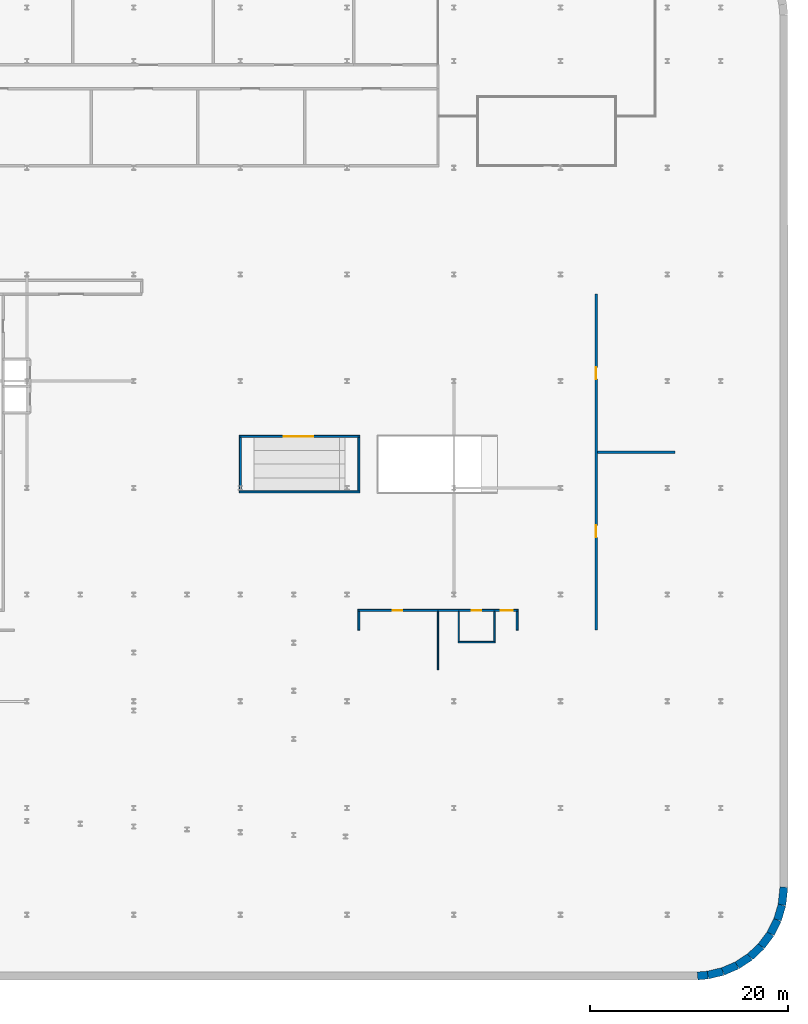
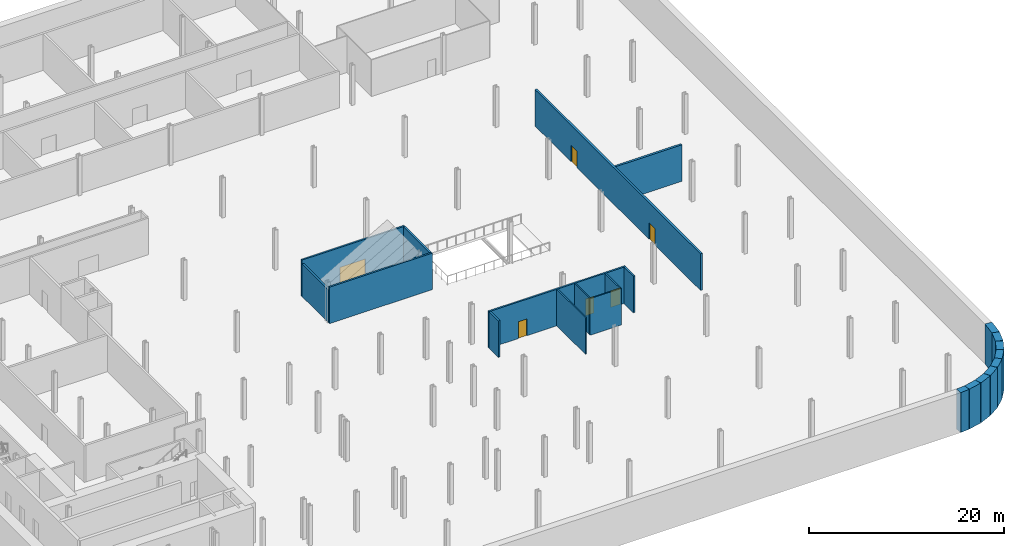
# One storey, part 10 of 19: 22 walls, 6 doors, 6 openings.
"""IFC4 building model written with IfcOpenShell, lengths in metres."""

from ifc_helpers import new_model, si_unit, direction, frame, frame_2d, origin, place, context, subcontext, project, spatial, rectangle, extrude, source, transform, mapped, material, layer, layer_set, type_object, element, fill, save


model = new_model("IFC4")

# Units and contexts
model_context = context("Model", 3, precision=1e-05, world=origin(), true_north=direction((0.0, 1.0)))
body_context = subcontext(model_context, "Body", "Model", "MODEL_VIEW")
ifc_project = project(units=[si_unit("LENGTHUNIT", "METRE"), si_unit("AREAUNIT", "SQUARE_METRE"), si_unit("VOLUMEUNIT", "CUBIC_METRE"), si_unit("PLANEANGLEUNIT", "RADIAN"), si_unit("MASSUNIT", "GRAM", prefix="KILO")], contexts=[model_context])

# Site, building, storey
site_placement = place(None, origin())
site = spatial("IfcSite", under=ifc_project, at=site_placement, CompositionType="ELEMENT")
building_placement = place(site_placement, origin())
building = spatial("IfcBuilding", under=site, at=building_placement, Name="Kheshtan School and Residences Tower", CompositionType="ELEMENT")
storey_placement = place(building_placement, frame((0.0, 0.0, -10.0)))
storey = spatial("IfcBuildingStorey", under=building, at=storey_placement, Name="B2", CompositionType="ELEMENT", Elevation=-10.0)

# Walls
ifc_material_1 = material(Name="Concrete C35/45", Category="concrete")
ifc_layer_1 = layer(ifc_material_1, 0.800048828125)
ifc_layer_set_1 = layer_set([ifc_layer_1], Name="Basement wall 800 Concrete C35/45")
wall_type_1 = type_object("IfcWallType", Name="Basement wall 800 Concrete C35/45", PredefinedType="SOLIDWALL", material=ifc_layer_set_1)
wall_1_placement = place(storey_placement, frame((135.0, 16.0, 0.0), z_axis=(0.0, 0.0, 1.0), x_axis=(-0.105567043429, -0.994412187849, 0.0)))
element("IfcWall", 1, at=wall_1_placement, inside=storey, type_object=wall_type_1, Name="Secant pile wall 21", PredefinedType="SOLIDWALL", context=body_context, shape_type="SweptSolid", body=[
    extrude(rectangle(XDim=1.829345703125, YDim=0.800048828125, at=frame_2d((0.91455078125, 0.0))), origin(), (0.0, 0.0, 1.0), 5.0),
])
wall_2_placement = place(storey_placement, frame((134.806884765625, 14.180908203125, 0.0), z_axis=(0.0, 0.0, 1.0), x_axis=(-0.287147763375, -0.957886299092, 0.0)))
element("IfcWall", 2, at=wall_2_placement, inside=storey, type_object=wall_type_1, Name="Secant pile wall 22", PredefinedType="SOLIDWALL", context=body_context, shape_type="SweptSolid", body=[
    extrude(rectangle(XDim=1.56689453125, YDim=0.800048828125, at=frame_2d((0.783447265625, 0.0))), origin(), (0.0, 0.0, 1.0), 5.0),
])
wall_3_placement = place(storey_placement, frame((134.35693359375, 12.679931640625, 0.0), z_axis=(0.0, 0.0, 1.0), x_axis=(-0.448459314462, -0.893803246399, 0.0)))
element("IfcWall", 3, at=wall_3_placement, inside=storey, type_object=wall_type_1, Name="Secant pile wall 23", PredefinedType="SOLIDWALL", context=body_context, shape_type="SweptSolid", body=[
    extrude(rectangle(XDim=1.5673828125, YDim=0.800048828125, at=frame_2d((0.78369140625, 0.0))), origin(), (0.0, 0.0, 1.0), 5.0),
])
wall_4_placement = place(storey_placement, frame((133.654052734375, 11.279052734375, 0.0), z_axis=(0.0, 0.0, 1.0), x_axis=(-0.597630520512, -0.801771638905, 0.0)))
element("IfcWall", 4, at=wall_4_placement, inside=storey, type_object=wall_type_1, Name="Secant pile wall 24", PredefinedType="SOLIDWALL", context=body_context, shape_type="SweptSolid", body=[
    extrude(rectangle(XDim=1.56787109375, YDim=0.800048828125, at=frame_2d((0.783935546875, 0.0))), origin(), (0.0, 0.0, 1.0), 5.0),
])
wall_5_placement = place(storey_placement, frame((132.717041015625, 10.02197265625, 0.0), z_axis=(0.0, 0.0, 1.0), x_axis=(-0.726995868662, -0.686641833089, 0.0)))
element("IfcWall", 5, at=wall_5_placement, inside=storey, type_object=wall_type_1, Name="Secant pile wall 25", PredefinedType="SOLIDWALL", context=body_context, shape_type="SweptSolid", body=[
    extrude(rectangle(XDim=1.56689453125, YDim=0.800048828125, at=frame_2d((0.783447265625, 0.0))), origin(), (0.0, 0.0, 1.0), 5.0),
])
wall_6_placement = place(storey_placement, frame((131.577880859375, 8.946044921875, 0.0), z_axis=(0.0, 0.0, 1.0), x_axis=(-0.835603348101, -0.549333272834, 0.0)))
element("IfcWall", 6, at=wall_6_placement, inside=storey, type_object=wall_type_1, Name="Secant pile wall 26", PredefinedType="SOLIDWALL", context=body_context, shape_type="SweptSolid", body=[
    extrude(rectangle(XDim=1.567626953125, YDim=0.800048828125, at=frame_2d((0.78369140625, 0.0))), origin(), (0.0, 0.0, 1.0), 5.0),
])
wall_7_placement = place(storey_placement, frame((130.26806640625, 8.0849609375, 0.0), z_axis=(0.0, 0.0, 1.0), x_axis=(-0.918183437355, -0.396155493925, 0.0)))
element("IfcWall", 7, at=wall_7_placement, inside=storey, type_object=wall_type_1, Name="Secant pile wall 27", PredefinedType="SOLIDWALL", context=body_context, shape_type="SweptSolid", body=[
    extrude(rectangle(XDim=1.567138671875, YDim=0.800048828125, at=frame_2d((0.78369140625, 0.0))), origin(), (0.0, 0.0, 1.0), 5.0),
])
wall_8_placement = place(storey_placement, frame((128.8291015625, 7.464111328125, 0.0), z_axis=(0.0, 0.0, 1.0), x_axis=(-0.972992949439, -0.230834833469, 0.0)))
element("IfcWall", 8, at=wall_8_placement, inside=storey, type_object=wall_type_1, Name="Secant pile wall 28", PredefinedType="SOLIDWALL", context=body_context, shape_type="SweptSolid", body=[
    extrude(rectangle(XDim=1.568603515625, YDim=0.800048828125, at=frame_2d((0.7841796875, 0.0))), origin(), (0.0, 0.0, 1.0), 5.0),
])
wall_9_placement = place(storey_placement, frame((127.302978515625, 7.10205078125, 0.0), z_axis=(0.0, 0.0, 1.0), x_axis=(-0.996202832813, -0.087062712427, 0.0)))
element("IfcWall", 9, at=wall_9_placement, inside=storey, type_object=wall_type_1, Name="Secant pile wall 29", PredefinedType="SOLIDWALL", context=body_context, shape_type="SweptSolid", body=[
    extrude(rectangle(XDim=1.0458984375, YDim=0.800048828125, at=frame_2d((0.52294921875, 0.0))), origin(), (0.0, 0.0, 1.0), 5.0),
])
ifc_material_2 = material(Name="Gypsum board on steel studs with fire boards", Category="steel")
ifc_layer_2 = layer(ifc_material_2, 0.199951171875)
ifc_layer_set_2 = layer_set([ifc_layer_2], Name="Corridor wall 200")
wall_type_2 = type_object("IfcWallType", Name="Corridor wall 200", PredefinedType="PARTITIONING", material=ifc_layer_set_2)
wall_10_placement = place(storey_placement, frame((79.89990234375, 56.0, 0.0), z_axis=(0.0, 0.0, 1.0), x_axis=(1.0, 0.0, 0.0)))
element("IfcWall", 10, at=wall_10_placement, inside=storey, type_object=wall_type_2, Name="Partition B2-043", PredefinedType="PARTITIONING", context=body_context, shape_type="SweptSolid", body=[
    extrude(rectangle(XDim=12.2001953125, YDim=0.199951171875, at=frame_2d((6.10009765625, 0.0))), origin(), (0.0, 0.0, 1.0), 4.580078125),
])

# Wall, opening, door
wall_11_placement = place(storey_placement, frame((79.89990234375, 61.60009765625, 0.0), z_axis=(0.0, 0.0, 1.0), x_axis=(1.0, 0.0, 0.0)))
wall_11 = element("IfcWall", 11, at=wall_11_placement, inside=storey, type_object=wall_type_2, Name="Partition B2-044", PredefinedType="PARTITIONING", context=body_context, shape_type="SweptSolid", body=[
    extrude(rectangle(XDim=12.2001953125, YDim=0.199951171875, at=frame_2d((6.10009765625, 0.0))), origin(), (0.0, 0.0, 1.0), 4.580078125),
])
opening_1_placement = place(wall_11_placement, frame((4.5, 0.0, 0.0)))
opening_1 = element("IfcOpeningElement", 12, at=opening_1_placement, cuts=wall_11, Name="Opening D2-001", PredefinedType="OPENING", context=body_context, shape_type="SweptSolid", body=[
    extrude(rectangle(XDim=3.0, YDim=2.10009765625, at=frame_2d((1.5, 1.050048828125))), frame((0.0, 0.10986328125, 0.0), z_axis=(0.0, -1.0, 0.0), x_axis=(1.0, 0.0, 0.0)), (0.0, 0.0, 1.0), 0.219970703125),
])
ifc_material_3 = material(Name="Steel-framed fire-resisting door leaf", Category="steel")
door_type_1 = type_object("IfcDoorType", Name="Fire double door FD60 3000 x 2100", OperationType="DOUBLE_DOOR_SINGLE_SWING", PredefinedType="DOOR", material=ifc_material_3)
shared_shape_1 = source(origin(), body_context, "Body", "SweptSolid", [
    extrude(rectangle(XDim=3.0, YDim=2.10009765625, at=frame_2d((1.5, 1.050048828125))), frame((0.0, 0.02490234375, 0.0), z_axis=(0.0, -1.0, 0.0), x_axis=(1.0, 0.0, 0.0)), (0.0, 0.0, 1.0), 0.050048828125),
])
door_1_placement = place(opening_1_placement, origin())
door_1 = element("IfcDoor", 13, at=door_1_placement, inside=storey, type_object=door_type_1, Name="Door D2-001", OperationType="DOUBLE_DOOR_SINGLE_SWING", OverallHeight=2.10009765625, OverallWidth=3.0, PredefinedType="DOOR", context=body_context, shape_type="MappedRepresentation", body=[
    mapped(shared_shape_1, transform((0.0, 0.0, 0.0), x_axis=(1.0, 0.0, 0.0), y_axis=(0.0, 1.0, 0.0), z_axis=(0.0, 0.0, 1.0), scale=1.0)),
])
fill(opening_1, door_1)

# Wall
wall_12_placement = place(storey_placement, frame((80.0, 56.10009765625, 0.0), z_axis=(0.0, 0.0, 1.0), x_axis=(0.0, 1.0, 0.0)))
element("IfcWall", 14, at=wall_12_placement, inside=storey, type_object=wall_type_2, Name="Partition B2-045", PredefinedType="PARTITIONING", context=body_context, shape_type="SweptSolid", body=[
    extrude(rectangle(XDim=5.39990234375, YDim=0.199951171875, at=frame_2d((2.699951171875, 0.0))), origin(), (0.0, 0.0, 1.0), 4.111083984375),
])

# Wall, openings, doors
wall_13_placement = place(storey_placement, frame((91.89990234375, 44.0, 0.0), z_axis=(0.0, 0.0, 1.0), x_axis=(1.0, 0.0, 0.0)))
wall_13 = element("IfcWall", 15, at=wall_13_placement, inside=storey, type_object=wall_type_2, Name="Partition B2-052", PredefinedType="PARTITIONING", context=body_context, shape_type="SweptSolid", body=[
    extrude(rectangle(XDim=16.2001953125, YDim=0.199951171875, at=frame_2d((8.10009765625, 0.0))), origin(), (0.0, 0.0, 1.0), 4.580078125),
])
opening_2_placement = place(wall_13_placement, frame((3.5, 0.0, 0.0)))
opening_2 = element("IfcOpeningElement", 16, at=opening_2_placement, cuts=wall_13, Name="Opening D2-019", PredefinedType="OPENING", context=body_context, shape_type="SweptSolid", body=[
    extrude(rectangle(XDim=1.0, YDim=2.10009765625, at=frame_2d((0.5, 1.050048828125))), frame((0.0, 0.10986328125, 0.0), z_axis=(0.0, -1.0, 0.0), x_axis=(1.0, 0.0, 0.0)), (0.0, 0.0, 1.0), 0.219970703125),
])
opening_3_placement = place(wall_13_placement, frame((11.5, 0.0, 0.0)))
opening_3 = element("IfcOpeningElement", 17, at=opening_3_placement, cuts=wall_13, Name="Opening D2-020", PredefinedType="OPENING", context=body_context, shape_type="SweptSolid", body=[
    extrude(rectangle(XDim=1.0, YDim=2.10009765625, at=frame_2d((0.5, 1.050048828125))), frame((0.0, 0.10986328125, 0.0), z_axis=(0.0, -1.0, 0.0), x_axis=(1.0, 0.0, 0.0)), (0.0, 0.0, 1.0), 0.219970703125),
])
opening_4_placement = place(wall_13_placement, frame((14.449951171875, 0.0, 0.0)))
opening_4 = element("IfcOpeningElement", 18, at=opening_4_placement, cuts=wall_13, Name="Opening D2-021", PredefinedType="OPENING", context=body_context, shape_type="SweptSolid", body=[
    extrude(rectangle(XDim=1.199951171875, YDim=2.10009765625, at=frame_2d((0.60009765625, 1.050048828125))), frame((0.0, 0.10986328125, 0.0), z_axis=(0.0, -1.0, 0.0), x_axis=(1.0, 0.0, 0.0)), (0.0, 0.0, 1.0), 0.219970703125),
])
door_type_2 = type_object("IfcDoorType", Name="Fire door FD60 1000 x 2100", OperationType="SINGLE_SWING_LEFT", PredefinedType="DOOR", material=ifc_material_3)
shared_shape_2 = source(origin(), body_context, "Body", "SweptSolid", [
    extrude(rectangle(XDim=1.0, YDim=2.10009765625, at=frame_2d((0.5, 1.050048828125))), frame((0.0, 0.02490234375, 0.0), z_axis=(0.0, -1.0, 0.0), x_axis=(1.0, 0.0, 0.0)), (0.0, 0.0, 1.0), 0.050048828125),
])
door_2_placement = place(opening_2_placement, origin())
door_2 = element("IfcDoor", 19, at=door_2_placement, inside=storey, type_object=door_type_2, Name="Door D2-019", OperationType="SINGLE_SWING_LEFT", OverallHeight=2.10009765625, OverallWidth=1.0, PredefinedType="DOOR", context=body_context, shape_type="MappedRepresentation", body=[
    mapped(shared_shape_2, transform((0.0, 0.0, 0.0), x_axis=(1.0, 0.0, 0.0), y_axis=(0.0, 1.0, 0.0), z_axis=(0.0, 0.0, 1.0), scale=1.0)),
])
fill(opening_2, door_2)
door_3_placement = place(opening_3_placement, origin())
door_3 = element("IfcDoor", 20, at=door_3_placement, inside=storey, type_object=door_type_2, Name="Door D2-020", OperationType="SINGLE_SWING_LEFT", OverallHeight=2.10009765625, OverallWidth=1.0, PredefinedType="DOOR", context=body_context, shape_type="MappedRepresentation", body=[
    mapped(shared_shape_2, transform((0.0, 0.0, 0.0), x_axis=(1.0, 0.0, 0.0), y_axis=(0.0, 1.0, 0.0), z_axis=(0.0, 0.0, 1.0), scale=1.0)),
])
fill(opening_3, door_3)
door_type_3 = type_object("IfcDoorType", Name="Fire door FD60 1200 x 2100", OperationType="SINGLE_SWING_LEFT", PredefinedType="DOOR", material=ifc_material_3)
shared_shape_3 = source(origin(), body_context, "Body", "SweptSolid", [
    extrude(rectangle(XDim=1.199951171875, YDim=2.10009765625, at=frame_2d((0.60009765625, 1.050048828125))), frame((0.0, 0.02490234375, 0.0), z_axis=(0.0, -1.0, 0.0), x_axis=(1.0, 0.0, 0.0)), (0.0, 0.0, 1.0), 0.050048828125),
])
door_4_placement = place(opening_4_placement, origin())
door_4 = element("IfcDoor", 21, at=door_4_placement, inside=storey, type_object=door_type_3, Name="Door D2-021", OperationType="SINGLE_SWING_LEFT", OverallHeight=2.10009765625, OverallWidth=1.199951171875, PredefinedType="DOOR", context=body_context, shape_type="MappedRepresentation", body=[
    mapped(shared_shape_3, transform((0.0, 0.0, 0.0), x_axis=(1.0, 0.0, 0.0), y_axis=(0.0, 1.0, 0.0), z_axis=(0.0, 0.0, 1.0), scale=1.0)),
])
fill(opening_4, door_4)

# Walls
wall_14_placement = place(storey_placement, frame((92.0, 42.0, 0.0), z_axis=(0.0, 0.0, 1.0), x_axis=(0.0, 1.0, 0.0)))
element("IfcWall", 22, at=wall_14_placement, inside=storey, type_object=wall_type_2, Name="Partition B2-053", PredefinedType="PARTITIONING", context=body_context, shape_type="SweptSolid", body=[
    extrude(rectangle(XDim=1.89990234375, YDim=0.199951171875, at=frame_2d((0.949951171875, 0.0))), origin(), (0.0, 0.0, 1.0), 4.580078125),
])
wall_15_placement = place(storey_placement, frame((92.0, 56.10009765625, 0.0), z_axis=(0.0, 0.0, 1.0), x_axis=(0.0, 1.0, 0.0)))
element("IfcWall", 23, at=wall_15_placement, inside=storey, type_object=wall_type_2, Name="Partition B2-054", PredefinedType="PARTITIONING", context=body_context, shape_type="SweptSolid", body=[
    extrude(rectangle(XDim=5.39990234375, YDim=0.199951171875, at=frame_2d((2.699951171875, 0.0))), origin(), (0.0, 0.0, 1.0), 4.580078125),
])
wall_16_placement = place(storey_placement, frame((108.0, 42.0, 0.0), z_axis=(0.0, 0.0, 1.0), x_axis=(0.0, 1.0, 0.0)))
element("IfcWall", 24, at=wall_16_placement, inside=storey, type_object=wall_type_2, Name="Partition B2-066", PredefinedType="PARTITIONING", context=body_context, shape_type="SweptSolid", body=[
    extrude(rectangle(XDim=1.89990234375, YDim=0.199951171875, at=frame_2d((0.949951171875, 0.0))), origin(), (0.0, 0.0, 1.0), 4.580078125),
])

# Wall, openings, doors
ifc_material_4 = material(Name="Fire-board and steel stud wall with mineral wool", Category="steel")
ifc_layer_3 = layer(ifc_material_4, 0.25)
ifc_layer_set_3 = layer_set([ifc_layer_3], Name="Plant room wall 250")
wall_type_3 = type_object("IfcWallType", Name="Plant room wall 250", PredefinedType="PARTITIONING", material=ifc_layer_set_3)
wall_17_placement = place(storey_placement, frame((116.0, 42.0, 0.0), z_axis=(0.0, 0.0, 1.0), x_axis=(0.0, 1.0, 0.0)))
wall_17 = element("IfcWall", 25, at=wall_17_placement, inside=storey, type_object=wall_type_3, Name="Partition B2-068", PredefinedType="PARTITIONING", context=body_context, shape_type="SweptSolid", body=[
    extrude(rectangle(XDim=34.0, YDim=0.25, at=frame_2d((17.0, 0.0))), origin(), (0.0, 0.0, 1.0), 4.580078125),
])
opening_5_placement = place(wall_17_placement, frame((9.39990234375, 0.0, 0.0)))
opening_5 = element("IfcOpeningElement", 26, at=opening_5_placement, cuts=wall_17, Name="Opening D2-017", PredefinedType="OPENING", context=body_context, shape_type="SweptSolid", body=[
    extrude(rectangle(XDim=1.199951171875, YDim=2.10009765625, at=frame_2d((0.60009765625, 1.050048828125))), frame((0.0, 0.135009765625, 0.0), z_axis=(0.0, -1.0, 0.0), x_axis=(1.0, 0.0, 0.0)), (0.0, 0.0, 1.0), 0.27001953125),
])
opening_6_placement = place(wall_17_placement, frame((25.39990234375, 0.0, 0.0)))
opening_6 = element("IfcOpeningElement", 27, at=opening_6_placement, cuts=wall_17, Name="Opening D2-018", PredefinedType="OPENING", context=body_context, shape_type="SweptSolid", body=[
    extrude(rectangle(XDim=1.199951171875, YDim=2.10009765625, at=frame_2d((0.60009765625, 1.050048828125))), frame((0.0, 0.135009765625, 0.0), z_axis=(0.0, -1.0, 0.0), x_axis=(1.0, 0.0, 0.0)), (0.0, 0.0, 1.0), 0.27001953125),
])
door_type_4 = type_object("IfcDoorType", Name="Fire door FD120 1200 x 2100", OperationType="SINGLE_SWING_LEFT", PredefinedType="DOOR", material=ifc_material_3)
shared_shape_4 = source(origin(), body_context, "Body", "SweptSolid", [
    extrude(rectangle(XDim=1.199951171875, YDim=2.10009765625, at=frame_2d((0.60009765625, 1.050048828125))), frame((0.0, 0.02490234375, 0.0), z_axis=(0.0, -1.0, 0.0), x_axis=(1.0, 0.0, 0.0)), (0.0, 0.0, 1.0), 0.050048828125),
])
door_5_placement = place(opening_5_placement, origin())
door_5 = element("IfcDoor", 28, at=door_5_placement, inside=storey, type_object=door_type_4, Name="Door D2-017", OperationType="SINGLE_SWING_RIGHT", OverallHeight=2.10009765625, OverallWidth=1.199951171875, PredefinedType="DOOR", context=body_context, shape_type="MappedRepresentation", body=[
    mapped(shared_shape_4, transform((0.0, 0.0, 0.0), x_axis=(1.0, 0.0, 0.0), y_axis=(0.0, 1.0, 0.0), z_axis=(0.0, 0.0, 1.0), scale=1.0)),
])
fill(opening_5, door_5)
door_6_placement = place(opening_6_placement, origin())
door_6 = element("IfcDoor", 29, at=door_6_placement, inside=storey, type_object=door_type_4, Name="Door D2-018", OperationType="SINGLE_SWING_RIGHT", OverallHeight=2.10009765625, OverallWidth=1.199951171875, PredefinedType="DOOR", context=body_context, shape_type="MappedRepresentation", body=[
    mapped(shared_shape_4, transform((0.0, 0.0, 0.0), x_axis=(1.0, 0.0, 0.0), y_axis=(0.0, 1.0, 0.0), z_axis=(0.0, 0.0, 1.0), scale=1.0)),
])
fill(opening_6, door_6)

# Walls
wall_18_placement = place(storey_placement, frame((116.125, 60.0, 0.0), z_axis=(0.0, 0.0, 1.0), x_axis=(1.0, 0.0, 0.0)))
element("IfcWall", 30, at=wall_18_placement, inside=storey, type_object=wall_type_3, Name="Partition B2-069", PredefinedType="PARTITIONING", context=body_context, shape_type="SweptSolid", body=[
    extrude(rectangle(XDim=7.875, YDim=0.25, at=frame_2d((3.9375, 0.0))), origin(), (0.0, 0.0, 1.0), 4.580078125),
])
ifc_material_5 = material(Name="Moisture-resistant gypsum board on steel studs", Category="steel")
ifc_layer_4 = layer(ifc_material_5, 0.14990234375)
ifc_layer_set_4 = layer_set([ifc_layer_4], Name="Wet-room partition 150")
wall_type_4 = type_object("IfcWallType", Name="Wet-room partition 150", PredefinedType="PARTITIONING", material=ifc_layer_set_4)
wall_19_placement = place(storey_placement, frame((100.0, 38.0, 0.0), z_axis=(0.0, 0.0, 1.0), x_axis=(0.0, 1.0, 0.0)))
element("IfcWall", 31, at=wall_19_placement, inside=storey, type_object=wall_type_4, Name="Partition B2-055", PredefinedType="PARTITIONING", context=body_context, shape_type="SweptSolid", body=[
    extrude(rectangle(XDim=5.89990234375, YDim=0.14990234375, at=frame_2d((2.949951171875, 0.0))), origin(), (0.0, 0.0, 1.0), 4.580078125),
])
wall_20_placement = place(storey_placement, frame((102.02490234375, 40.800048828125, 0.0), z_axis=(0.0, 0.0, 1.0), x_axis=(1.0, 0.0, 0.0)))
element("IfcWall", 32, at=wall_20_placement, inside=storey, type_object=wall_type_4, Name="Partition B2-060", PredefinedType="PARTITIONING", context=body_context, shape_type="SweptSolid", body=[
    extrude(rectangle(XDim=3.75, YDim=0.14990234375, at=frame_2d((1.875, 0.0))), origin(), (0.0, 0.0, 1.0), 4.580078125),
])
for number, where, z_axis, x_axis, name in (
    (33, (102.10009765625, 40.875, 0.0), (0.0, 0.0, 1.0), (0.0, 1.0, 0.0), "Partition B2-061"),
    (34, (105.699951171875, 40.875, 0.0), (0.0, 0.0, 1.0), (0.0, 1.0, 0.0), "Partition B2-065"),
):
    element("IfcWall", number, at=place(storey_placement, frame(where, z_axis=z_axis, x_axis=x_axis)), inside=storey, type_object=wall_type_4, Name=name, PredefinedType="PARTITIONING", context=body_context, shape_type="SweptSolid", body=[
        extrude(rectangle(XDim=3.02490234375, YDim=0.14990234375, at=frame_2d((1.512451171875, 0.0))), origin(), (0.0, 0.0, 1.0), 4.580078125),
    ])

save(model, "model.ifc")
